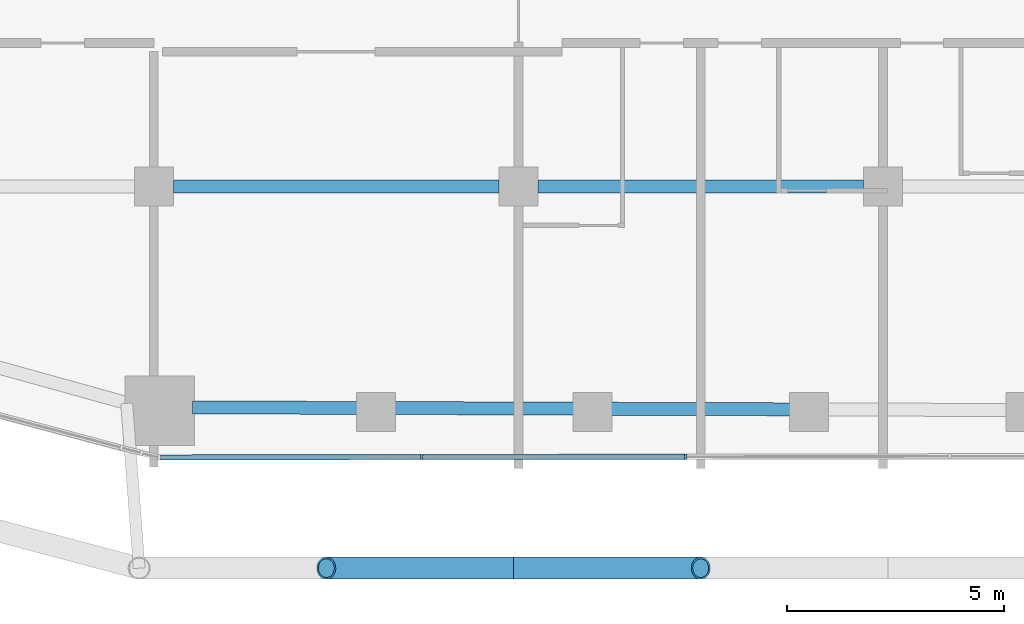
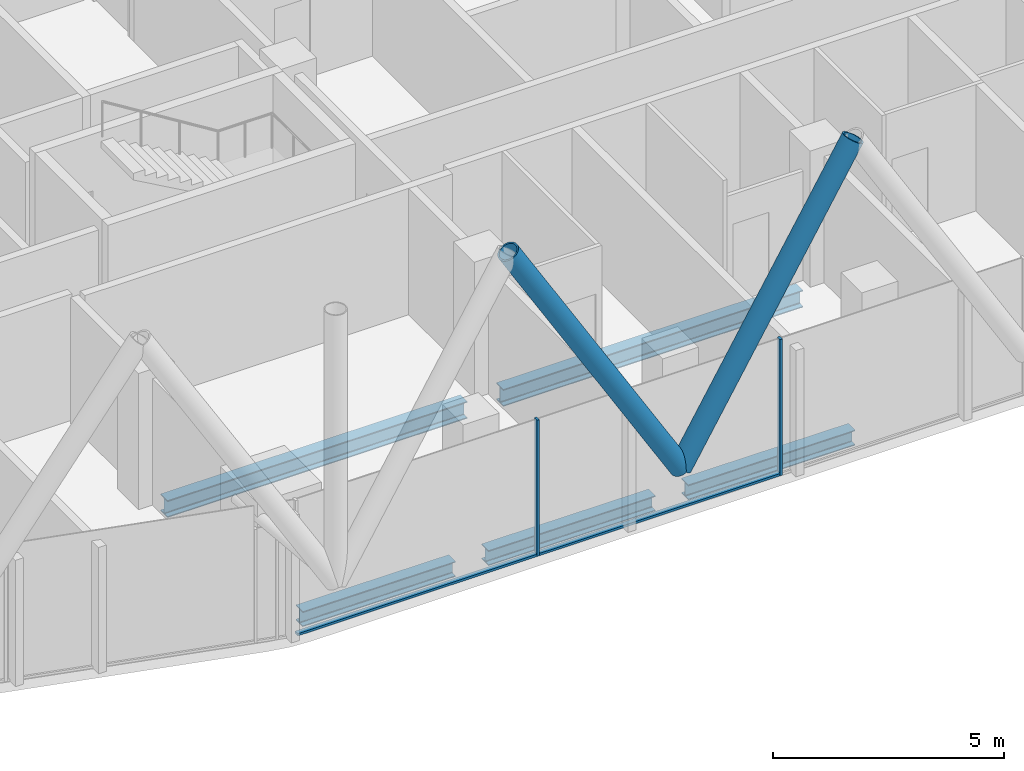
# One storey, part 3 of 33: 6 members, 5 beams, 1 element without a shape of its own.
"""IFC4 building model written with IfcOpenShell, lengths in metres."""

from ifc_helpers import new_model, si_unit, direction, frame, origin, origin_2d, place, context, subcontext, project, spatial, rectangle, hollow_circle, i_section, extrude, material, layer, layer_set, material_profile, profile_set, type_object, element, aggregate, save


model = new_model("IFC4")

# Units and contexts
model_context = context("Model", 3, precision=1e-05, world=origin(), true_north=direction((0.0, 1.0)))
body_context = subcontext(model_context, "Body", "Model", "MODEL_VIEW")
ifc_project = project(units=[si_unit("LENGTHUNIT", "METRE"), si_unit("AREAUNIT", "SQUARE_METRE"), si_unit("VOLUMEUNIT", "CUBIC_METRE"), si_unit("PLANEANGLEUNIT", "RADIAN"), si_unit("MASSUNIT", "GRAM", prefix="KILO")], contexts=[model_context])

# Site, building, storey
site_placement = place(None, origin())
site = spatial("IfcSite", under=ifc_project, at=site_placement, CompositionType="ELEMENT")
building_placement = place(site_placement, origin())
building = spatial("IfcBuilding", under=site, at=building_placement, Name="Marenta Gate Hotel Tower", CompositionType="ELEMENT")
storey_placement = place(building_placement, frame((0.0, 0.0, 137.300048828125)))
storey = spatial("IfcBuildingStorey", under=building, at=storey_placement, Name="L31", CompositionType="ELEMENT", Elevation=137.300048828125)

# Members
ifc_material_1 = material(Name="Steel S355J2W", Category="steel")
ifc_material_profile_1 = material_profile(ifc_material_1, hollow_circle(Radius=0.25390625, WallThickness=0.0400390625, at=origin_2d()), Name="CHS 508x40")
ifc_profile_set_1 = profile_set([ifc_material_profile_1], Name="Steel S355J2W")
member_type_1 = type_object("IfcMemberType", Name="Diagrid diagonal Z2 CHS 508x40", PredefinedType="BRACE", material=ifc_profile_set_1)
for number, where, z_axis, x_axis, name in (
    (1, (-4.31298828125, -25.60009765625, 3.139892578125), (0.513883902774, 0.0, 0.857859740558), (0.0, 1.0, 0.0), "L31-DG-18"),
    (2, (-4.31298828125, -25.60009765625, 3.139892578125), (-0.513883902774, 0.0, 0.857859740558), (0.0, -1.0, 0.0), "L31-DG-19"),
):
    element("IfcMember", number, at=place(storey_placement, frame(where, z_axis=z_axis, x_axis=x_axis)), inside=storey, type_object=member_type_1, Name=name, PredefinedType="BRACE", context=body_context, shape_type="SweptSolid", body=[
        extrude(hollow_circle(Radius=0.25390625, WallThickness=0.0400390625, at=origin_2d()), origin(), (0.0, 0.0, 1.0), 8.392822265625),
    ])

# Beams
ifc_material_2 = material(Name="Steel S355", Category="steel")
ifc_material_profile_2 = material_profile(ifc_material_2, i_section(OverallWidth=0.300048828125, OverallDepth=0.39990234375, WebThickness=0.013427734375, FlangeThickness=0.02392578125, FilletRadius=0.027099609375, at=origin_2d()), Name="HEB 400")
ifc_profile_set_2 = profile_set([ifc_material_profile_2], Name="Steel S355")
beam_type_1 = type_object("IfcBeamType", Name="Edge beam HEB 400", PredefinedType="SPANDREL", material=ifc_profile_set_2)
beam_1_placement = place(storey_placement, frame((2.08349609375, -21.939453125, -0.4599609375), z_axis=(-0.999994808095, 0.003222387769, 0.0), x_axis=(-0.003222387769, -0.999994808095, 0.0)))
element("IfcBeam", 3, at=beam_1_placement, inside=storey, type_object=beam_type_1, Name="L31-EB-34", PredefinedType="SPANDREL", context=body_context, shape_type="SweptSolid", body=[
    extrude(i_section(OverallWidth=0.300048828125, OverallDepth=0.39990234375, WebThickness=0.013427734375, FlangeThickness=0.02392578125, FilletRadius=0.027099609375, at=origin_2d()), origin(), (0.0, 0.0, 1.0), 4.1669921875),
])
beam_2_placement = place(storey_placement, frame((-2.9033203125, -21.92333984375, -0.4599609375), z_axis=(-0.999994807487, 0.003222576575, 0.0), x_axis=(-0.003222576575, -0.999994807487, 0.0)))
element("IfcBeam", 4, at=beam_2_placement, inside=storey, type_object=beam_type_1, Name="L31-EB-35", PredefinedType="SPANDREL", context=body_context, shape_type="SweptSolid", body=[
    extrude(i_section(OverallWidth=0.300048828125, OverallDepth=0.39990234375, WebThickness=0.013427734375, FlangeThickness=0.02392578125, FilletRadius=0.027099609375, at=origin_2d()), origin(), (0.0, 0.0, 1.0), 4.166748046875),
])
beam_3_placement = place(storey_placement, frame((-7.89013671875, -21.907470703125, -0.4599609375), z_axis=(-0.999994677283, 0.003262729738, 0.0), x_axis=(-0.003262729738, -0.999994677283, 0.0)))
element("IfcBeam", 5, at=beam_3_placement, inside=storey, type_object=beam_type_1, Name="L31-EB-36", PredefinedType="SPANDREL", context=body_context, shape_type="SweptSolid", body=[
    extrude(i_section(OverallWidth=0.300048828125, OverallDepth=0.39990234375, WebThickness=0.013427734375, FlangeThickness=0.02392578125, FilletRadius=0.027099609375, at=origin_2d()), origin(), (0.0, 0.0, 1.0), 3.816162109375),
])
ifc_material_3 = material(Name="Steel S355", Category="steel")
ifc_material_profile_3 = material_profile(ifc_material_3, i_section(OverallWidth=0.300048828125, OverallDepth=0.449951171875, WebThickness=0.013916015625, FlangeThickness=0.02587890625, FilletRadius=0.027099609375, at=origin_2d()), Name="HEB 450")
ifc_profile_set_3 = profile_set([ifc_material_profile_3], Name="Steel S355")
beam_type_2 = type_object("IfcBeamType", Name="Girder HEB 450", PredefinedType="BEAM", material=ifc_profile_set_3)
for number, where, z_axis, x_axis, name in (
    (6, (-12.14990234375, -16.800048828125, -0.485107421875), (1.0, 0.0, 0.0), (0.0, 1.0, 0.0), "L31-GD-3"),
    (7, (-3.75, -16.800048828125, -0.485107421875), (1.0, 0.0, 0.0), (0.0, 1.0, 0.0), "L31-GD-4"),
):
    element("IfcBeam", number, at=place(storey_placement, frame(where, z_axis=z_axis, x_axis=x_axis)), inside=storey, type_object=beam_type_2, Name=name, PredefinedType="BEAM", context=body_context, shape_type="SweptSolid", body=[
        extrude(i_section(OverallWidth=0.300048828125, OverallDepth=0.449951171875, WebThickness=0.013916015625, FlangeThickness=0.02587890625, FilletRadius=0.027099609375, at=origin_2d()), origin(), (0.0, 0.0, 1.0), 7.5),
    ])

# Curtain wall, members
ifc_material_4 = material(Name="Tinted insulated glass in bronze anodised frame", Category="glass")
ifc_layer = layer(ifc_material_4, 0.1201171875)
ifc_layer_set = layer_set([ifc_layer], Name="Tinted insulated glass in bronze anodised frame")
curtain_wall_type = type_object("IfcCurtainWallType", Name="Tower unitised curtain wall CW1", PredefinedType="NOTDEFINED", material=ifc_layer_set)
curtain_wall_placement = place(storey_placement, origin())
curtain_wall = element("IfcCurtainWall", 8, at=curtain_wall_placement, inside=storey, type_object=curtain_wall_type, Name="CW1 run G12", PredefinedType="NOTDEFINED")
ifc_material_5 = material(Name="Bronze anodised aluminium", Category="aluminium")
ifc_material_profile_4 = material_profile(ifc_material_5, rectangle(XDim=0.1201171875, YDim=0.06005859375, at=origin_2d()), Name="Mullion CW1 60x120 bronze anodised aluminium")
ifc_profile_set_4 = profile_set([ifc_material_profile_4], Name="Bronze anodised aluminium")
member_type_2 = type_object("IfcMemberType", Name="Mullion CW1 60x120 bronze anodised aluminium", PredefinedType="MULLION", material=ifc_profile_set_4)
member_1_placement = place(storey_placement, frame((-6.424072265625, -23.039306640625, 0.0), z_axis=(0.0, 0.0, 1.0), x_axis=(-0.00136470383, 0.999999068791, 0.0)))
member_1 = element("IfcMember", 9, at=member_1_placement, type_object=member_type_2, Name="CW1 mullion 2", PredefinedType="MULLION", context=body_context, shape_type="SweptSolid", body=[
    extrude(rectangle(XDim=0.1201171875, YDim=0.06005859375, at=origin_2d()), origin(), (0.0, 0.0, 1.0), 3.599853515625),
])
member_2_placement = place(storey_placement, frame((-0.342041015625, -23.031005859375, 0.0), z_axis=(0.0, 0.0, 1.0), x_axis=(-0.00136470383, 0.999999068791, 0.0)))
member_2 = element("IfcMember", 10, at=member_2_placement, type_object=member_type_2, Name="CW1 mullion 3", PredefinedType="MULLION", context=body_context, shape_type="SweptSolid", body=[
    extrude(rectangle(XDim=0.1201171875, YDim=0.06005859375, at=origin_2d()), origin(), (0.0, 0.0, 1.0), 3.599853515625),
])
ifc_material_6 = material(Name="Bronze anodised aluminium", Category="aluminium")
ifc_material_profile_5 = material_profile(ifc_material_6, rectangle(XDim=0.1201171875, YDim=0.06005859375, at=origin_2d()), Name="Transom CW1 60x120 bronze anodised aluminium")
ifc_profile_set_5 = profile_set([ifc_material_profile_5], Name="Bronze anodised aluminium")
member_type_3 = type_object("IfcMemberType", Name="Transom CW1 60x120 bronze anodised aluminium", PredefinedType="USERDEFINED", material=ifc_profile_set_5)
member_3_placement = place(storey_placement, frame((-12.44580078125, -23.04736328125, 0.030029296875), z_axis=(0.999999095981, 0.001344632474, 0.0), x_axis=(-0.001344632474, 0.999999095981, 0.0)))
member_3 = element("IfcMember", 11, at=member_3_placement, type_object=member_type_3, Name="CW1 transom 1.1", ObjectType="TRANSOM", PredefinedType="USERDEFINED", context=body_context, shape_type="SweptSolid", body=[
    extrude(rectangle(XDim=0.1201171875, YDim=0.06005859375, at=origin_2d()), origin(), (0.0, 0.0, 1.0), 5.99169921875),
])
member_4_placement = place(storey_placement, frame((-6.39404296875, -23.0390625, 0.030029296875), z_axis=(0.999999105048, 0.001337872799, 0.0), x_axis=(-0.001337872799, 0.999999105048, 0.0)))
member_4 = element("IfcMember", 12, at=member_4_placement, type_object=member_type_3, Name="CW1 transom 2.1", ObjectType="TRANSOM", PredefinedType="USERDEFINED", context=body_context, shape_type="SweptSolid", body=[
    extrude(rectangle(XDim=0.1201171875, YDim=0.06005859375, at=origin_2d()), origin(), (0.0, 0.0, 1.0), 6.02197265625),
])
aggregate(curtain_wall, [member_1, member_2, member_3, member_4])

save(model, "model.ifc")
